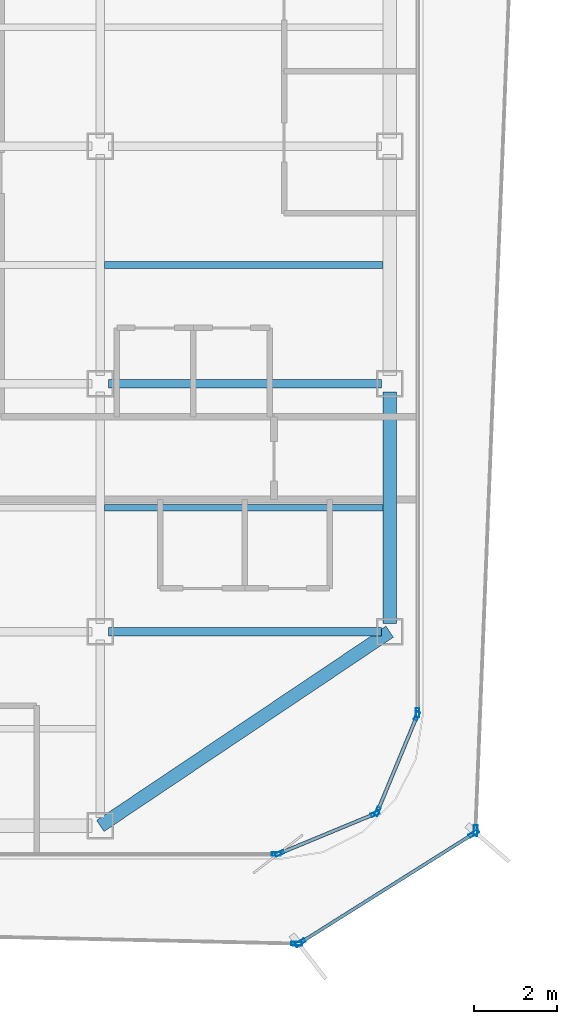
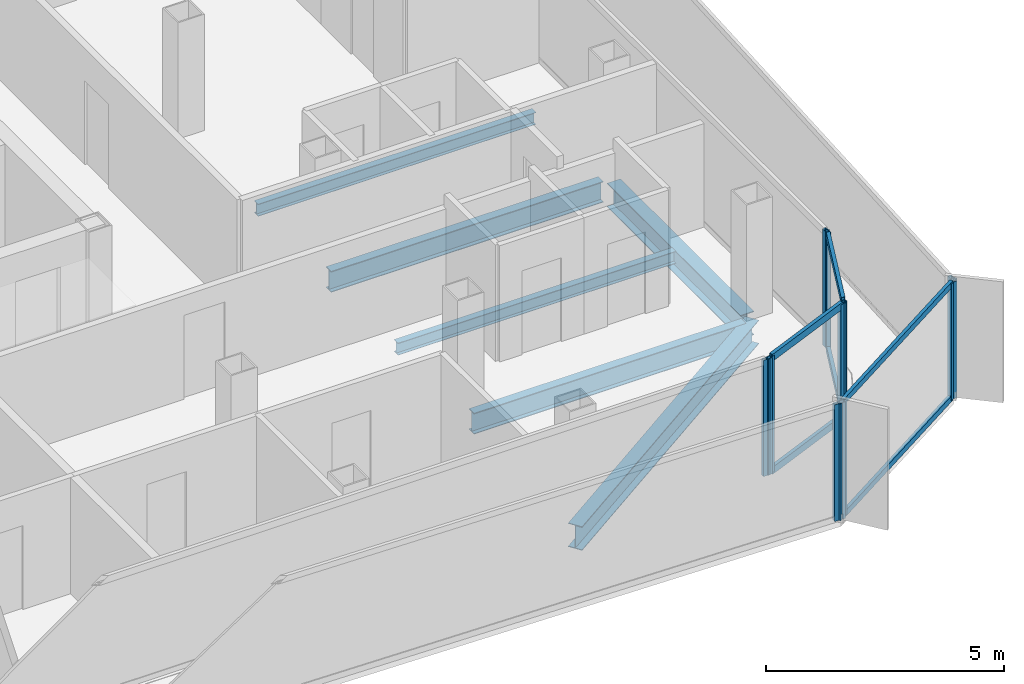
# One storey, part 4 of 15: 16 members, 6 beams, 7 elements without a shape of their own.
"""IFC4 building model written with IfcOpenShell, lengths in metres."""

from ifc_helpers import new_model, si_unit, direction, frame, origin, origin_2d, place, context, subcontext, project, spatial, hollow_rectangle, i_section, extrude, source, transform, mapped, material, layer, layer_set, material_profile, profile_set, type_object, element, aggregate, save


model = new_model("IFC4")

# Units and contexts
model_context = context("Model", 3, precision=1e-05, world=origin(), true_north=direction((0.0, 1.0)))
body_context = subcontext(model_context, "Body", "Model", "MODEL_VIEW")
ifc_project = project(units=[si_unit("LENGTHUNIT", "METRE"), si_unit("AREAUNIT", "SQUARE_METRE"), si_unit("VOLUMEUNIT", "CUBIC_METRE"), si_unit("PLANEANGLEUNIT", "RADIAN"), si_unit("MASSUNIT", "GRAM", prefix="KILO")], contexts=[model_context])

# Site, building, storey
site_placement = place(None, origin())
site = spatial("IfcSite", under=ifc_project, at=site_placement, CompositionType="ELEMENT")
building_placement = place(site_placement, origin())
building = spatial("IfcBuilding", under=site, at=building_placement, Name="Kolveth Station Tower", CompositionType="ELEMENT")
storey_placement = place(building_placement, frame((0.0, 0.0, 239.300048828125)))
storey = spatial("IfcBuildingStorey", under=building, at=storey_placement, Name="L68", CompositionType="ELEMENT", Elevation=239.300048828125)

# Beams
ifc_material_1 = material(Name="Steel S355", Category="steel")
ifc_material_profile_1 = material_profile(ifc_material_1, i_section(OverallWidth=0.323974609375, OverallDepth=0.611083984375, WebThickness=0.0126953125, FlangeThickness=0.01904296875, at=origin_2d()), Name="W610x155")
ifc_profile_set_1 = profile_set([ifc_material_profile_1], Name="Steel S355")
beam_type_1 = type_object("IfcBeamType", Name="Beam_SP2", PredefinedType="SPANDREL", material=ifc_profile_set_1)
shared_shape_1 = source(origin(), body_context, "Body", "SweptSolid", [
    extrude(i_section(OverallWidth=0.323974609375, OverallDepth=0.611083984375, WebThickness=0.0126953125, FlangeThickness=0.01904296875, at=origin_2d()), origin(), (0.0, 0.0, 1.0), 8.431396484375),
])
beam_1_placement = place(storey_placement, frame((34.0, 0.800048828125, -0.525634765625), z_axis=(0.830223811004, 0.557430196206, 0.0), x_axis=(-0.557430196206, 0.830223811004, 0.0)))
element("IfcBeam", 1, at=beam_1_placement, inside=storey, type_object=beam_type_1, Name="L68 Corner Edge Girder BM-L68-CNR-SE", PredefinedType="SPANDREL", context=body_context, shape_type="MappedRepresentation", body=[
    mapped(shared_shape_1, transform((0.0, 0.0, 0.0), x_axis=(1.0, 0.0, 0.0), y_axis=(0.0, 1.0, 0.0), z_axis=(0.0, 0.0, 1.0), scale=1.0)),
])
shared_shape_2 = source(origin(), body_context, "Body", "SweptSolid", [
    extrude(i_section(OverallWidth=0.323974609375, OverallDepth=0.611083984375, WebThickness=0.0126953125, FlangeThickness=0.01904296875, at=origin_2d()), origin(), (0.0, 0.0, 1.0), 5.60009765625),
])
beam_2_placement = place(storey_placement, frame((41.0, 5.699951171875, -0.525634765625), z_axis=(0.0, 1.0, 0.0), x_axis=(-1.0, 0.0, 0.0)))
element("IfcBeam", 2, at=beam_2_placement, inside=storey, type_object=beam_type_1, Name="L68 Perimeter Spandrel BM-L68-PE-1", PredefinedType="SPANDREL", context=body_context, shape_type="MappedRepresentation", body=[
    mapped(shared_shape_2, transform((0.0, 0.0, 0.0), x_axis=(1.0, 0.0, 0.0), y_axis=(0.0, 1.0, 0.0), z_axis=(0.0, 0.0, 1.0), scale=1.0)),
])
ifc_material_profile_2 = material_profile(ifc_material_1, i_section(OverallWidth=0.2099609375, OverallDepth=0.537109375, WebThickness=0.010986328125, FlangeThickness=0.017333984375, at=origin_2d()), Name="W530x101")
ifc_profile_set_2 = profile_set([ifc_material_profile_2], Name="Steel S355")
beam_type_2 = type_object("IfcBeamType", Name="Beam_B6", PredefinedType="BEAM", material=ifc_profile_set_2)
shared_shape_3 = source(origin(), body_context, "Body", "SweptSolid", [
    extrude(i_section(OverallWidth=0.2099609375, OverallDepth=0.537109375, WebThickness=0.010986328125, FlangeThickness=0.017333984375, at=origin_2d()), origin(), (0.0, 0.0, 1.0), 6.60009765625),
])
for number, where, z_axis, x_axis, name in (
    (3, (34.199951171875, 5.5, -0.488525390625), (1.0, 0.0, 0.0), (0.0, 1.0, 0.0), "L68 Primary Girder BM-L68-GY55-5"),
    (4, (34.199951171875, 11.5, -0.488525390625), (1.0, 0.0, 0.0), (0.0, 1.0, 0.0), "L68 Primary Girder BM-L68-GY115-5"),
):
    element("IfcBeam", number, at=place(storey_placement, frame(where, z_axis=z_axis, x_axis=x_axis)), inside=storey, type_object=beam_type_2, Name=name, PredefinedType="BEAM", context=body_context, shape_type="MappedRepresentation", body=[
        mapped(shared_shape_3, transform((0.0, 0.0, 0.0), x_axis=(1.0, 0.0, 0.0), y_axis=(0.0, 1.0, 0.0), z_axis=(0.0, 0.0, 1.0), scale=1.0)),
    ])
ifc_material_profile_3 = material_profile(ifc_material_1, i_section(OverallWidth=0.1650390625, OverallDepth=0.31005859375, WebThickness=0.005859375, FlangeThickness=0.009765625, at=origin_2d()), Name="W310x39")
ifc_profile_set_3 = profile_set([ifc_material_profile_3], Name="Steel S355")
beam_type_3 = type_object("IfcBeamType", Name="Beam_J3", PredefinedType="JOIST", material=ifc_profile_set_3)
shared_shape_4 = source(origin(), body_context, "Body", "SweptSolid", [
    extrude(i_section(OverallWidth=0.1650390625, OverallDepth=0.31005859375, WebThickness=0.005859375, FlangeThickness=0.009765625, at=origin_2d()), origin(), (0.0, 0.0, 1.0), 6.737060546875),
])
for number, where, z_axis, x_axis, name in (
    (5, (34.10302734375, 8.5, -0.375), (1.0, 0.0, 0.0), (0.0, 1.0, 0.0), "L68 Secondary Joist JST-L68-5-2"),
    (6, (34.10302734375, 14.375, -0.375), (1.0, 0.0, 0.0), (0.0, 1.0, 0.0), "L68 Secondary Joist JST-L68-5-3"),
):
    element("IfcBeam", number, at=place(storey_placement, frame(where, z_axis=z_axis, x_axis=x_axis)), inside=storey, type_object=beam_type_3, Name=name, PredefinedType="JOIST", context=body_context, shape_type="MappedRepresentation", body=[
        mapped(shared_shape_4, transform((0.0, 0.0, 0.0), x_axis=(1.0, 0.0, 0.0), y_axis=(0.0, 1.0, 0.0), z_axis=(0.0, 0.0, 1.0), scale=1.0)),
    ])

# Curtain wall, members
ifc_material_2 = material(Name="Black anodized aluminium 6063-T6 and dark solar glass", Category="aluminium")
ifc_layer_1 = layer(ifc_material_2, 0.159912109375)
ifc_layer_set_1 = layer_set([ifc_layer_1], Name="Black anodized aluminium 6063-T6 and dark solar glass")
curtain_wall_type_1 = type_object("IfcCurtainWallType", Name="OUTER SKIN CW-OS", PredefinedType="NOTDEFINED", material=ifc_layer_set_1)
curtain_wall_1_placement = place(storey_placement, origin())
curtain_wall_1 = element("IfcCurtainWall", 7, at=curtain_wall_1_placement, inside=storey, type_object=curtain_wall_type_1, Name="L68 Outer Ventilated Skin Curtain Wall 1", PredefinedType="NOTDEFINED")
ifc_material_3 = material(Name="Black anodized aluminium 6063-T6", Category="aluminium")
ifc_material_profile_4 = material_profile(ifc_material_3, hollow_rectangle(XDim=0.090087890625, YDim=0.260009765625, WallThickness=0.0048828125, at=origin_2d()), Name="ALU-90x260x5")
ifc_profile_set_4 = profile_set([ifc_material_profile_4], Name="Black anodized aluminium 6063-T6")
member_type_1 = type_object("IfcMemberType", Name="FIN MULLION ML-OS", PredefinedType="MULLION", material=ifc_profile_set_4)
shared_shape_5 = source(origin(), body_context, "Body", "SweptSolid", [
    extrude(hollow_rectangle(XDim=0.090087890625, YDim=0.260009765625, WallThickness=0.0048828125, at=origin_2d()), origin(), (0.0, 0.0, 1.0), 2.989990234375),
])
member_1_placement = place(storey_placement, frame((38.83740234375, -2.028076171875, 0.0), z_axis=(0.0, 0.0, 1.0), x_axis=(-0.532641233695, 0.846341134631, 0.0)))
member_1 = element("IfcMember", 8, at=member_1_placement, type_object=member_type_1, Name="CW-OS mullion 1", PredefinedType="MULLION", context=body_context, shape_type="MappedRepresentation", body=[
    mapped(shared_shape_5, transform((0.0, 0.0, 0.0), x_axis=(1.0, 0.0, 0.0), y_axis=(0.0, 1.0, 0.0), z_axis=(0.0, 0.0, 1.0), scale=1.0)),
])
member_2_placement = place(storey_placement, frame((43.041259765625, 0.61767578125, 0.0), z_axis=(0.0, 0.0, 1.0), x_axis=(-0.532641233695, 0.846341134631, 0.0)))
member_2 = element("IfcMember", 9, at=member_2_placement, type_object=member_type_1, Name="CW-OS mullion 2", PredefinedType="MULLION", context=body_context, shape_type="MappedRepresentation", body=[
    mapped(shared_shape_5, transform((0.0, 0.0, 0.0), x_axis=(1.0, 0.0, 0.0), y_axis=(0.0, 1.0, 0.0), z_axis=(0.0, 0.0, 1.0), scale=1.0)),
])

# Curtain wall, member
curtain_wall_2_placement = place(storey_placement, origin())
curtain_wall_2 = element("IfcCurtainWall", 10, at=curtain_wall_2_placement, inside=storey, type_object=curtain_wall_type_1, Name="L68 Outer Ventilated Skin Curtain Wall 2", PredefinedType="NOTDEFINED")
member_3_placement = place(storey_placement, frame((43.081298828125, 0.6865234375, 0.0), z_axis=(0.0, 0.0, 1.0), x_axis=(-0.999200188261, 0.039987295223, 0.0)))
member_3 = element("IfcMember", 11, at=member_3_placement, type_object=member_type_1, Name="CW-OS mullion 1", PredefinedType="MULLION", context=body_context, shape_type="MappedRepresentation", body=[
    mapped(shared_shape_5, transform((0.0, 0.0, 0.0), x_axis=(1.0, 0.0, 0.0), y_axis=(0.0, 1.0, 0.0), z_axis=(0.0, 0.0, 1.0), scale=1.0)),
])
aggregate(curtain_wall_2, [member_3])

curtain_wall_3_placement = place(storey_placement, origin())
curtain_wall_3 = element("IfcCurtainWall", 12, at=curtain_wall_3_placement, inside=storey, type_object=curtain_wall_type_1, Name="L68 Outer Ventilated Skin Curtain Wall 8", PredefinedType="NOTDEFINED")
member_4_placement = place(storey_placement, frame((38.75439453125, -2.051025390625, 0.0), z_axis=(0.0, 0.0, 1.0), x_axis=(0.022314855906, 0.999750992601, 0.0)))
member_4 = element("IfcMember", 13, at=member_4_placement, type_object=member_type_1, Name="CW-OS mullion 2", PredefinedType="MULLION", context=body_context, shape_type="MappedRepresentation", body=[
    mapped(shared_shape_5, transform((0.0, 0.0, 0.0), x_axis=(1.0, 0.0, 0.0), y_axis=(0.0, 1.0, 0.0), z_axis=(0.0, 0.0, 1.0), scale=1.0)),
])
aggregate(curtain_wall_3, [member_4])

# Curtain wall, members
ifc_material_4 = material(Name="Aluminium 6063-T6 and triple low-E dark glass", Category="aluminium")
ifc_layer_2 = layer(ifc_material_4, 0.199951171875)
ifc_layer_set_2 = layer_set([ifc_layer_2], Name="Aluminium 6063-T6 and triple low-E dark glass")
curtain_wall_type_2 = type_object("IfcCurtainWallType", Name="CurtainWall_CW-Z3", PredefinedType="NOTDEFINED", material=ifc_layer_set_2)
curtain_wall_4_placement = place(storey_placement, origin())
curtain_wall_4 = element("IfcCurtainWall", 14, at=curtain_wall_4_placement, inside=storey, type_object=curtain_wall_type_2, Name="L68 Inner Thermal Curtain Wall 1", PredefinedType="NOTDEFINED")
ifc_material_profile_5 = material_profile(ifc_material_3, hollow_rectangle(XDim=0.0849609375, YDim=0.215087890625, WallThickness=0.0048828125, at=origin_2d()), Name="ALU-85x215x5")
ifc_profile_set_5 = profile_set([ifc_material_profile_5], Name="Black anodized aluminium 6063-T6")
member_type_2 = type_object("IfcMemberType", Name="Mullion_ML3", PredefinedType="MULLION", material=ifc_profile_set_5)
shared_shape_6 = source(origin(), body_context, "Body", "SweptSolid", [
    extrude(hollow_rectangle(XDim=0.0849609375, YDim=0.215087890625, WallThickness=0.0048828125, at=origin_2d()), origin(), (0.0, 0.0, 1.0), 2.97998046875),
])
member_5_placement = place(storey_placement, frame((38.33935546875, 0.13623046875, 0.0), z_axis=(0.0, 0.0, 1.0), x_axis=(-0.382693194181, 0.923875488975, 0.0)))
member_5 = element("IfcMember", 15, at=member_5_placement, type_object=member_type_2, Name="CW-Z3 mullion 1", PredefinedType="MULLION", context=body_context, shape_type="MappedRepresentation", body=[
    mapped(shared_shape_6, transform((0.0, 0.0, 0.0), x_axis=(1.0, 0.0, 0.0), y_axis=(0.0, 1.0, 0.0), z_axis=(0.0, 0.0, 1.0), scale=1.0)),
])
member_6_placement = place(storey_placement, frame((40.650634765625, 1.09375, 0.0), z_axis=(0.0, 0.0, 1.0), x_axis=(-0.382693194181, 0.923875488975, 0.0)))
member_6 = element("IfcMember", 16, at=member_6_placement, type_object=member_type_2, Name="CW-Z3 mullion 2", PredefinedType="MULLION", context=body_context, shape_type="MappedRepresentation", body=[
    mapped(shared_shape_6, transform((0.0, 0.0, 0.0), x_axis=(1.0, 0.0, 0.0), y_axis=(0.0, 1.0, 0.0), z_axis=(0.0, 0.0, 1.0), scale=1.0)),
])

curtain_wall_5_placement = place(storey_placement, origin())
curtain_wall_5 = element("IfcCurtainWall", 17, at=curtain_wall_5_placement, inside=storey, type_object=curtain_wall_type_2, Name="L68 Inner Thermal Curtain Wall 2", PredefinedType="NOTDEFINED")
member_7_placement = place(storey_placement, frame((40.706298828125, 1.149169921875, 0.0), z_axis=(0.0, 0.0, 1.0), x_axis=(-0.923875488975, 0.382693194181, 0.0)))
member_7 = element("IfcMember", 18, at=member_7_placement, type_object=member_type_2, Name="CW-Z3 mullion 1", PredefinedType="MULLION", context=body_context, shape_type="MappedRepresentation", body=[
    mapped(shared_shape_6, transform((0.0, 0.0, 0.0), x_axis=(1.0, 0.0, 0.0), y_axis=(0.0, 1.0, 0.0), z_axis=(0.0, 0.0, 1.0), scale=1.0)),
])
member_8_placement = place(storey_placement, frame((41.663818359375, 3.460693359375, 0.0), z_axis=(0.0, 0.0, 1.0), x_axis=(-0.923875488975, 0.382693194181, 0.0)))
member_8 = element("IfcMember", 19, at=member_8_placement, type_object=member_type_2, Name="CW-Z3 mullion 2", PredefinedType="MULLION", context=body_context, shape_type="MappedRepresentation", body=[
    mapped(shared_shape_6, transform((0.0, 0.0, 0.0), x_axis=(1.0, 0.0, 0.0), y_axis=(0.0, 1.0, 0.0), z_axis=(0.0, 0.0, 1.0), scale=1.0)),
])

# Curtain wall, member
curtain_wall_6_placement = place(storey_placement, origin())
curtain_wall_6 = element("IfcCurtainWall", 20, at=curtain_wall_6_placement, inside=storey, type_object=curtain_wall_type_2, Name="L68 Inner Thermal Curtain Wall 3", PredefinedType="NOTDEFINED")
member_9_placement = place(storey_placement, frame((41.679931640625, 3.54248046875, 0.0), z_axis=(0.0, 0.0, 1.0), x_axis=(-1.0, 0.0, 0.0)))
member_9 = element("IfcMember", 21, at=member_9_placement, type_object=member_type_2, Name="CW-Z3 mullion 1", PredefinedType="MULLION", context=body_context, shape_type="MappedRepresentation", body=[
    mapped(shared_shape_6, transform((0.0, 0.0, 0.0), x_axis=(1.0, 0.0, 0.0), y_axis=(0.0, 1.0, 0.0), z_axis=(0.0, 0.0, 1.0), scale=1.0)),
])
aggregate(curtain_wall_6, [member_9])

curtain_wall_7_placement = place(storey_placement, origin())
curtain_wall_7 = element("IfcCurtainWall", 22, at=curtain_wall_7_placement, inside=storey, type_object=curtain_wall_type_2, Name="L68 Inner Thermal Curtain Wall 12", PredefinedType="NOTDEFINED")
member_10_placement = place(storey_placement, frame((38.257568359375, 0.1201171875, 0.0), z_axis=(0.0, 0.0, 1.0), x_axis=(0.0, 1.0, 0.0)))
member_10 = element("IfcMember", 23, at=member_10_placement, type_object=member_type_2, Name="CW-Z3 mullion 2", PredefinedType="MULLION", context=body_context, shape_type="MappedRepresentation", body=[
    mapped(shared_shape_6, transform((0.0, 0.0, 0.0), x_axis=(1.0, 0.0, 0.0), y_axis=(0.0, 1.0, 0.0), z_axis=(0.0, 0.0, 1.0), scale=1.0)),
])
aggregate(curtain_wall_7, [member_10])

# Member
ifc_material_profile_6 = material_profile(ifc_material_3, hollow_rectangle(XDim=0.0849609375, YDim=0.179931640625, WallThickness=0.0048828125, at=origin_2d()), Name="ALU-85x180x5")
ifc_profile_set_6 = profile_set([ifc_material_profile_6], Name="Black anodized aluminium 6063-T6")
member_type_3 = type_object("IfcMemberType", Name="Transom_TR3", PredefinedType="USERDEFINED", material=ifc_profile_set_6)
shared_shape_7 = source(origin(), body_context, "Body", "SweptSolid", [
    extrude(hollow_rectangle(XDim=0.0849609375, YDim=0.179931640625, WallThickness=0.0048828125, at=origin_2d()), origin(), (0.0, 0.0, 1.0), 2.4169921875),
])
member_11_placement = place(storey_placement, frame((38.37841796875, 0.152587890625, 0.04248046875), z_axis=(0.923908507952, 0.382613471971, 0.0), x_axis=(-0.382613471971, 0.923908507952, 0.0)))
member_11 = element("IfcMember", 24, at=member_11_placement, type_object=member_type_3, Name="CW-Z3 transom 1.1", ObjectType="TRANSOM", PredefinedType="USERDEFINED", context=body_context, shape_type="MappedRepresentation", body=[
    mapped(shared_shape_7, transform((0.0, 0.0, 0.0), x_axis=(1.0, 0.0, 0.0), y_axis=(0.0, 1.0, 0.0), z_axis=(0.0, 0.0, 1.0), scale=1.0)),
])

member_12_placement = place(storey_placement, frame((38.37841796875, 0.152587890625, 2.9375), z_axis=(0.923908507952, 0.382613471971, 0.0), x_axis=(-0.382613471971, 0.923908507952, 0.0)))
member_12 = element("IfcMember", 25, at=member_12_placement, type_object=member_type_3, Name="CW-Z3 transom 1.2", ObjectType="TRANSOM", PredefinedType="USERDEFINED", context=body_context, shape_type="MappedRepresentation", body=[
    mapped(shared_shape_7, transform((0.0, 0.0, 0.0), x_axis=(1.0, 0.0, 0.0), y_axis=(0.0, 1.0, 0.0), z_axis=(0.0, 0.0, 1.0), scale=1.0)),
])

aggregate(curtain_wall_4, [member_5, member_6, member_11, member_12])

member_13_placement = place(storey_placement, frame((40.722412109375, 1.1884765625, 0.04248046875), z_axis=(0.382735401206, 0.9238580046, 0.0), x_axis=(-0.9238580046, 0.382735401206, 0.0)))
member_13 = element("IfcMember", 26, at=member_13_placement, type_object=member_type_3, Name="CW-Z3 transom 1.1", ObjectType="TRANSOM", PredefinedType="USERDEFINED", context=body_context, shape_type="MappedRepresentation", body=[
    mapped(shared_shape_7, transform((0.0, 0.0, 0.0), x_axis=(1.0, 0.0, 0.0), y_axis=(0.0, 1.0, 0.0), z_axis=(0.0, 0.0, 1.0), scale=1.0)),
])

member_14_placement = place(storey_placement, frame((40.722412109375, 1.1884765625, 2.9375), z_axis=(0.382735401206, 0.9238580046, 0.0), x_axis=(-0.9238580046, 0.382735401206, 0.0)))
member_14 = element("IfcMember", 27, at=member_14_placement, type_object=member_type_3, Name="CW-Z3 transom 1.2", ObjectType="TRANSOM", PredefinedType="USERDEFINED", context=body_context, shape_type="MappedRepresentation", body=[
    mapped(shared_shape_7, transform((0.0, 0.0, 0.0), x_axis=(1.0, 0.0, 0.0), y_axis=(0.0, 1.0, 0.0), z_axis=(0.0, 0.0, 1.0), scale=1.0)),
])

aggregate(curtain_wall_5, [member_7, member_8, member_13, member_14])

ifc_material_profile_7 = material_profile(ifc_material_3, hollow_rectangle(XDim=0.080078125, YDim=0.14990234375, WallThickness=0.0048828125, at=origin_2d()), Name="ALU-80x150x5")
ifc_profile_set_7 = profile_set([ifc_material_profile_7], Name="Black anodized aluminium 6063-T6")
member_type_4 = type_object("IfcMemberType", Name="Transom_TR-OS", PredefinedType="USERDEFINED", material=ifc_profile_set_7)
shared_shape_8 = source(origin(), body_context, "Body", "SweptSolid", [
    extrude(hollow_rectangle(XDim=0.080078125, YDim=0.14990234375, WallThickness=0.0048828125, at=origin_2d()), origin(), (0.0, 0.0, 1.0), 4.877197265625),
])
member_15_placement = place(storey_placement, frame((38.87548828125, -2.004150390625, 0.0400390625), z_axis=(0.846326451745, 0.532664563377, 0.0), x_axis=(-0.532664563377, 0.846326451745, 0.0)))
member_15 = element("IfcMember", 28, at=member_15_placement, type_object=member_type_4, Name="CW-OS transom 1.1", ObjectType="TRANSOM", PredefinedType="USERDEFINED", context=body_context, shape_type="MappedRepresentation", body=[
    mapped(shared_shape_8, transform((0.0, 0.0, 0.0), x_axis=(1.0, 0.0, 0.0), y_axis=(0.0, 1.0, 0.0), z_axis=(0.0, 0.0, 1.0), scale=1.0)),
])

member_16_placement = place(storey_placement, frame((38.87548828125, -2.004150390625, 2.949951171875), z_axis=(0.846326451745, 0.532664563377, 0.0), x_axis=(-0.532664563377, 0.846326451745, 0.0)))
member_16 = element("IfcMember", 29, at=member_16_placement, type_object=member_type_4, Name="CW-OS transom 1.2", ObjectType="TRANSOM", PredefinedType="USERDEFINED", context=body_context, shape_type="MappedRepresentation", body=[
    mapped(shared_shape_8, transform((0.0, 0.0, 0.0), x_axis=(1.0, 0.0, 0.0), y_axis=(0.0, 1.0, 0.0), z_axis=(0.0, 0.0, 1.0), scale=1.0)),
])

aggregate(curtain_wall_1, [member_1, member_2, member_15, member_16])

save(model, "model.ifc")
